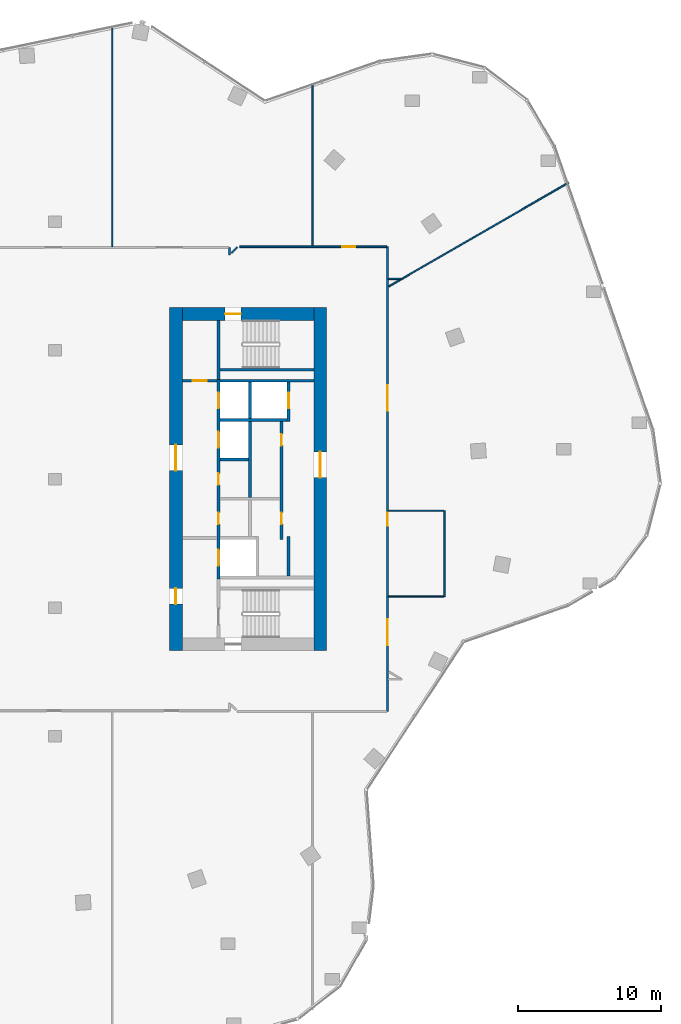
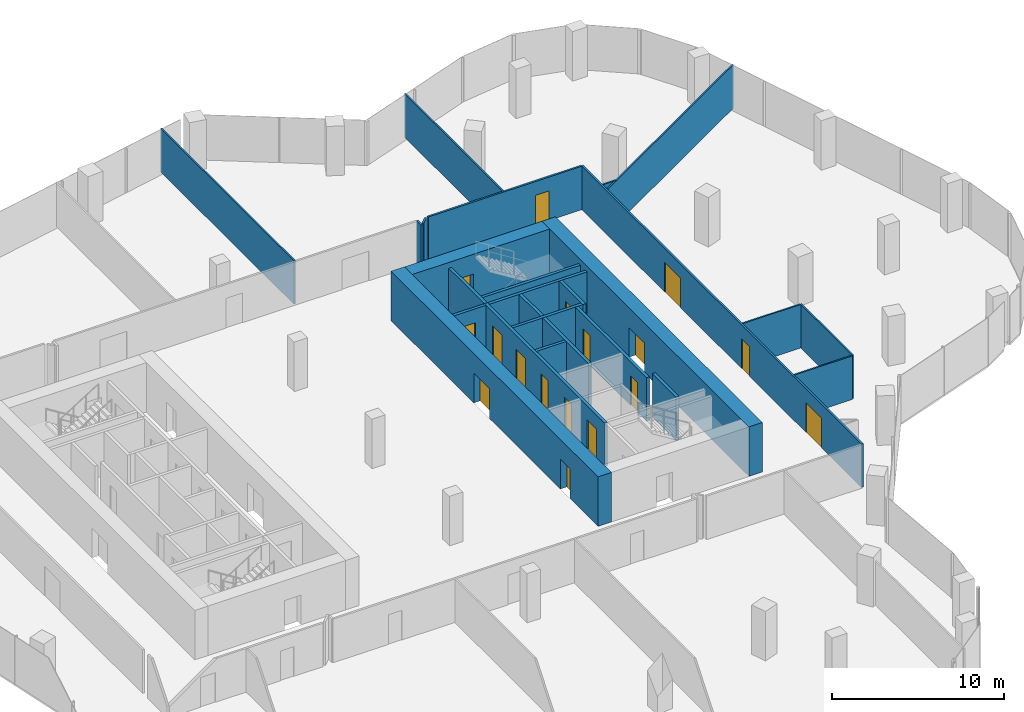
# One storey, part 20 of 24: 26 walls, 17 doors, 17 openings.
"""IFC4 building model written with IfcOpenShell, lengths in metres."""

from ifc_helpers import new_model, si_unit, direction, frame, frame_2d, origin, place, context, subcontext, project, spatial, rectangle, extrude, material, layer, layer_set, type_object, element, fill, save


model = new_model("IFC4")

# Units and contexts
model_context = context("Model", 3, precision=1e-05, world=origin(), true_north=direction((0.0, 1.0)))
body_context = subcontext(model_context, "Body", "Model", "MODEL_VIEW")
ifc_project = project(units=[si_unit("LENGTHUNIT", "METRE"), si_unit("AREAUNIT", "SQUARE_METRE"), si_unit("VOLUMEUNIT", "CUBIC_METRE"), si_unit("PLANEANGLEUNIT", "RADIAN"), si_unit("MASSUNIT", "GRAM", prefix="KILO")], contexts=[model_context])

# Site, building, storey
site_placement = place(None, origin())
site = spatial("IfcSite", under=ifc_project, at=site_placement, CompositionType="ELEMENT")
building_placement = place(site_placement, origin())
building = spatial("IfcBuilding", under=site, at=building_placement, Name="Orlundy Tower", CompositionType="ELEMENT")
storey_placement = place(building_placement, frame((0.0, 0.0, 239.0)))
storey = spatial("IfcBuildingStorey", under=building, at=storey_placement, Name="L63", CompositionType="ELEMENT", Elevation=239.0)

# Wall, opening, door
ifc_material_1 = material(Name="Concrete C60/75", Category="concrete")
ifc_layer_1 = layer(ifc_material_1, 0.89990234375)
ifc_layer_set_1 = layer_set([ifc_layer_1], Name="CORE WALL 900 C60/75")
wall_type_1 = type_object("IfcWallType", Name="CORE WALL 900 C60/75", PredefinedType="SHEAR", material=ifc_layer_set_1)
wall_1_placement = place(storey_placement, frame((8.89990234375, 11.550048828125, 0.0), z_axis=(0.0, 0.0, 1.0), x_axis=(1.0, 0.0, 0.0)))
wall_1 = element("IfcWall", 1, at=wall_1_placement, inside=storey, type_object=wall_type_1, Name="Core wall E-N L63", PredefinedType="SHEAR", context=body_context, shape_type="SweptSolid", body=[
    extrude(rectangle(XDim=9.2001953125, YDim=0.89990234375, at=frame_2d((4.60009765625, 0.0))), origin(), (0.0, 0.0, 1.0), 3.5),
])
opening_1_placement = place(wall_1_placement, frame((3.0, 0.0, 0.0)))
opening_1 = element("IfcOpeningElement", 2, at=opening_1_placement, cuts=wall_1, Name="Opening 48062", PredefinedType="OPENING", context=body_context, shape_type="SweptSolid", body=[
    extrude(rectangle(XDim=1.10009765625, YDim=2.10009765625, at=frame_2d((0.550048828125, 1.050048828125))), frame((0.0, 0.4599609375, 0.0), z_axis=(0.0, -1.0, 0.0), x_axis=(1.0, 0.0, 0.0)), (0.0, 0.0, 1.0), 0.919921875),
])
ifc_material_2 = material(Name="Steel door set", Category="steel")
door_type_1 = type_object("IfcDoorType", Name="Stair Door 1100x2100", OperationType="SINGLE_SWING_LEFT", PredefinedType="DOOR", material=ifc_material_2)
door_1_placement = place(opening_1_placement, origin())
door_1 = element("IfcDoor", 3, at=door_1_placement, inside=storey, type_object=door_type_1, Name="Stair door 48062", OperationType="SINGLE_SWING_LEFT", OverallHeight=2.10009765625, OverallWidth=1.10009765625, PredefinedType="DOOR", context=body_context, shape_type="SweptSolid", body=[
    extrude(rectangle(XDim=1.10009765625, YDim=2.10009765625, at=frame_2d((0.550048828125, 1.050048828125))), frame((0.0, 0.02490234375, 0.0), z_axis=(0.0, -1.0, 0.0), x_axis=(1.0, 0.0, 0.0)), (0.0, 0.0, 1.0), 0.050048828125),
])
fill(opening_1, door_1)

# Wall, openings, doors
wall_2_placement = place(storey_placement, frame((8.449951171875, -12.0, 0.0), z_axis=(0.0, 0.0, 1.0), x_axis=(0.0, 1.0, 0.0)))
wall_2 = element("IfcWall", 4, at=wall_2_placement, inside=storey, type_object=wall_type_1, Name="Core wall E-W L63", PredefinedType="SHEAR", context=body_context, shape_type="SweptSolid", body=[
    extrude(rectangle(XDim=24.0, YDim=0.89990234375, at=frame_2d((12.0, 0.0))), origin(), (0.0, 0.0, 1.0), 3.5),
])
opening_2_placement = place(wall_2_placement, frame((12.60009765625, 0.0, 0.0)))
opening_2 = element("IfcOpeningElement", 5, at=opening_2_placement, cuts=wall_2, Name="Opening 48058", PredefinedType="OPENING", context=body_context, shape_type="SweptSolid", body=[
    extrude(rectangle(XDim=1.800048828125, YDim=2.10009765625, at=frame_2d((0.89990234375, 1.050048828125))), frame((0.0, 0.4599609375, 0.0), z_axis=(0.0, -1.0, 0.0), x_axis=(1.0, 0.0, 0.0)), (0.0, 0.0, 1.0), 0.919921875),
])
opening_3_placement = place(wall_2_placement, frame((3.25, 0.0, 0.0)))
opening_3 = element("IfcOpeningElement", 6, at=opening_3_placement, cuts=wall_2, Name="Opening 48060", PredefinedType="OPENING", context=body_context, shape_type="SweptSolid", body=[
    extrude(rectangle(XDim=1.10009765625, YDim=2.10009765625, at=frame_2d((0.550048828125, 1.050048828125))), frame((0.0, 0.4599609375, 0.0), z_axis=(0.0, -1.0, 0.0), x_axis=(1.0, 0.0, 0.0)), (0.0, 0.0, 1.0), 0.919921875),
])
ifc_material_3 = material(Name="Steel door set", Category="steel")
door_type_2 = type_object("IfcDoorType", Name="Fire-fighting Lobby Door 1100x2100", OperationType="SINGLE_SWING_LEFT", PredefinedType="DOOR", material=ifc_material_3)
door_2_placement = place(opening_3_placement, origin())
door_2 = element("IfcDoor", 7, at=door_2_placement, inside=storey, type_object=door_type_2, Name="Fire-fighting lobby door 48060", OperationType="SINGLE_SWING_LEFT", OverallHeight=2.10009765625, OverallWidth=1.10009765625, PredefinedType="DOOR", context=body_context, shape_type="SweptSolid", body=[
    extrude(rectangle(XDim=1.10009765625, YDim=2.10009765625, at=frame_2d((0.550048828125, 1.050048828125))), frame((0.0, 0.02490234375, 0.0), z_axis=(0.0, -1.0, 0.0), x_axis=(1.0, 0.0, 0.0)), (0.0, 0.0, 1.0), 0.050048828125),
])
fill(opening_3, door_2)
ifc_material_4 = material(Name="Timber door set", Category="wood")
door_type_3 = type_object("IfcDoorType", Name="Lobby Door 1800x2100", OperationType="DOUBLE_DOOR_DOUBLE_SWING", PredefinedType="DOOR", material=ifc_material_4)
door_3_placement = place(opening_2_placement, origin())
door_3 = element("IfcDoor", 8, at=door_3_placement, inside=storey, type_object=door_type_3, Name="Lift lobby door 48058", OperationType="SINGLE_SWING_RIGHT", OverallHeight=2.10009765625, OverallWidth=1.800048828125, PredefinedType="DOOR", context=body_context, shape_type="SweptSolid", body=[
    extrude(rectangle(XDim=1.800048828125, YDim=2.10009765625, at=frame_2d((0.89990234375, 1.050048828125))), frame((0.0, 0.02490234375, 0.0), z_axis=(0.0, -1.0, 0.0), x_axis=(1.0, 0.0, 0.0)), (0.0, 0.0, 1.0), 0.050048828125),
])
fill(opening_2, door_3)

# Wall, opening, door
wall_3_placement = place(storey_placement, frame((18.550048828125, -12.0, 0.0), z_axis=(0.0, 0.0, 1.0), x_axis=(0.0, 1.0, 0.0)))
wall_3 = element("IfcWall", 9, at=wall_3_placement, inside=storey, type_object=wall_type_1, Name="Core wall E-E L63", PredefinedType="SHEAR", context=body_context, shape_type="SweptSolid", body=[
    extrude(rectangle(XDim=24.0, YDim=0.89990234375, at=frame_2d((12.0, 0.0))), origin(), (0.0, 0.0, 1.0), 3.5),
])
opening_4_placement = place(wall_3_placement, frame((12.10009765625, 0.0, 0.0)))
opening_4 = element("IfcOpeningElement", 10, at=opening_4_placement, cuts=wall_3, Name="Opening 48059", PredefinedType="OPENING", context=body_context, shape_type="SweptSolid", body=[
    extrude(rectangle(XDim=1.800048828125, YDim=2.10009765625, at=frame_2d((0.89990234375, 1.050048828125))), frame((0.0, 0.4599609375, 0.0), z_axis=(0.0, -1.0, 0.0), x_axis=(1.0, 0.0, 0.0)), (0.0, 0.0, 1.0), 0.919921875),
])
door_4_placement = place(opening_4_placement, origin())
door_4 = element("IfcDoor", 11, at=door_4_placement, inside=storey, type_object=door_type_3, Name="Lift lobby door 48059", OperationType="SINGLE_SWING_RIGHT", OverallHeight=2.10009765625, OverallWidth=1.800048828125, PredefinedType="DOOR", context=body_context, shape_type="SweptSolid", body=[
    extrude(rectangle(XDim=1.800048828125, YDim=2.10009765625, at=frame_2d((0.89990234375, 1.050048828125))), frame((0.0, 0.02490234375, 0.0), z_axis=(0.0, -1.0, 0.0), x_axis=(1.0, 0.0, 0.0)), (0.0, 0.0, 1.0), 0.050048828125),
])
fill(opening_4, door_4)

# Walls
ifc_material_5 = material(Name="Gypsum board partition")
ifc_layer_2 = layer(ifc_material_5, 0.10009765625)
ifc_layer_set_2 = layer_set([ifc_layer_2], Name="Floor partition 100")
wall_type_2 = type_object("IfcWallType", Name="Floor partition 100", PredefinedType="PARTITIONING", material=ifc_layer_set_2)
for number, where, z_axis, x_axis, name in (
    (12, (23.31396484375, -8.212890625, 0.0), (0.0, 0.0, 1.0), (1.0, 0.0, 0.0), "wall-int-L63-010"),
    (13, (23.31396484375, -2.2119140625, 0.0), (0.0, 0.0, 1.0), (1.0, 0.0, 0.0), "wall-int-L63-011"),
):
    element("IfcWall", number, at=place(storey_placement, frame(where, z_axis=z_axis, x_axis=x_axis)), inside=storey, type_object=wall_type_2, Name=name, PredefinedType="PARTITIONING", context=body_context, shape_type="SweptSolid", body=[
        extrude(rectangle(XDim=3.885009765625, YDim=0.10009765625, at=frame_2d((1.9423828125, 0.0))), origin(), (0.0, 0.0, 1.0), 3.080078125),
    ])
wall_4_placement = place(storey_placement, frame((23.31396484375, 14.0, 0.0), z_axis=(0.0, 0.0, 1.0), x_axis=(1.0, 0.0, 0.0)))
element("IfcWall", 14, at=wall_4_placement, inside=storey, type_object=wall_type_2, Name="wall-int-L63-015", PredefinedType="PARTITIONING", context=body_context, shape_type="SweptSolid", body=[
    extrude(rectangle(XDim=0.885009765625, YDim=0.10009765625, at=frame_2d((0.4423828125, 0.0))), origin(), (0.0, 0.0, 1.0), 3.080078125),
])
wall_5_placement = place(storey_placement, frame((23.337890625, 13.47412109375, 0.0), z_axis=(0.0, 0.0, 1.0), x_axis=(0.866095287821, 0.499878937759, 0.0)))
element("IfcWall", 15, at=wall_5_placement, inside=storey, type_object=wall_type_2, Name="wall-int-L63-019", PredefinedType="PARTITIONING", context=body_context, shape_type="SweptSolid", body=[
    extrude(rectangle(XDim=14.541015625, YDim=0.10009765625, at=frame_2d((7.2705078125, 0.0))), origin(), (0.0, 0.0, 1.0), 3.080078125),
])
wall_6_placement = place(storey_placement, frame((27.2490234375, -8.212890625, 0.0), z_axis=(0.0, 0.0, 1.0), x_axis=(0.0, 1.0, 0.0)))
element("IfcWall", 16, at=wall_6_placement, inside=storey, type_object=wall_type_2, Name="wall-int-L63-023", PredefinedType="PARTITIONING", context=body_context, shape_type="SweptSolid", body=[
    extrude(rectangle(XDim=6.0009765625, YDim=0.10009765625, at=frame_2d((3.00048828125, 0.0))), origin(), (0.0, 0.0, 1.0), 3.080078125),
])
wall_7_placement = place(storey_placement, frame((18.0, 16.31201171875, 0.0), z_axis=(0.0, 0.0, 1.0), x_axis=(0.0, 1.0, 0.0)))
element("IfcWall", 17, at=wall_7_placement, inside=storey, type_object=wall_type_2, Name="wall-int-L63-026", PredefinedType="PARTITIONING", context=body_context, shape_type="SweptSolid", body=[
    extrude(rectangle(XDim=11.383056640625, YDim=0.10009765625, at=frame_2d((5.69140625, 0.0))), origin(), (0.0, 0.0, 1.0), 3.080078125),
])
wall_8_placement = place(storey_placement, frame((4.0, 16.261962890625, 0.0), z_axis=(0.0, 0.0, 1.0), x_axis=(0.0, 1.0, 0.0)))
element("IfcWall", 18, at=wall_8_placement, inside=storey, type_object=wall_type_2, Name="wall-int-L63-030", PredefinedType="PARTITIONING", context=body_context, shape_type="SweptSolid", body=[
    extrude(rectangle(XDim=15.4521484375, YDim=0.10009765625, at=frame_2d((7.72607421875, 0.0))), origin(), (0.0, 0.0, 1.0), 3.080078125),
])

# Wall, opening, door
ifc_material_6 = material(Name="Gypsum board partition, double layer")
ifc_layer_3 = layer(ifc_material_6, 0.125)
ifc_layer_set_3 = layer_set([ifc_layer_3], Name="Floor partition 125")
wall_type_3 = type_object("IfcWallType", Name="Floor partition 125", PredefinedType="PARTITIONING", material=ifc_layer_set_3)
wall_9_placement = place(storey_placement, frame((12.909912109375, 16.25, 0.0), z_axis=(0.0, 0.0, 1.0), x_axis=(1.0, 0.0, 0.0)))
wall_9 = element("IfcWall", 19, at=wall_9_placement, inside=storey, type_object=wall_type_3, Name="wall-int-L63-018", PredefinedType="PARTITIONING", context=body_context, shape_type="SweptSolid", body=[
    extrude(rectangle(XDim=10.279052734375, YDim=0.125, at=frame_2d((5.1396484375, 0.0))), origin(), (0.0, 0.0, 1.0), 3.080078125),
])
opening_5_placement = place(wall_9_placement, frame((7.190185546875, 0.0, 0.0)))
opening_5 = element("IfcOpeningElement", 20, at=opening_5_placement, cuts=wall_9, Name="Opening 48107", PredefinedType="OPENING", context=body_context, shape_type="SweptSolid", body=[
    extrude(rectangle(XDim=0.89990234375, YDim=2.10009765625, at=frame_2d((0.449951171875, 1.050048828125))), frame((0.0, 0.072509765625, 0.0), z_axis=(0.0, -1.0, 0.0), x_axis=(1.0, 0.0, 0.0)), (0.0, 0.0, 1.0), 0.14501953125),
])
ifc_material_7 = material(Name="Timber door leaf", Category="wood")
door_type_4 = type_object("IfcDoorType", Name="Floor door single 900 FD30S", OperationType="NOTDEFINED", PredefinedType="DOOR", material=ifc_material_7)
door_5_placement = place(opening_5_placement, origin())
door_5 = element("IfcDoor", 21, at=door_5_placement, inside=storey, type_object=door_type_4, Name="Door 48107", OperationType="SINGLE_SWING_RIGHT", OverallHeight=2.10009765625, OverallWidth=0.89990234375, PredefinedType="DOOR", context=body_context, shape_type="SweptSolid", body=[
    extrude(rectangle(XDim=0.89990234375, YDim=2.10009765625, at=frame_2d((0.449951171875, 1.050048828125))), frame((0.0, 0.02490234375, 0.0), z_axis=(0.0, -1.0, 0.0), x_axis=(1.0, 0.0, 0.0)), (0.0, 0.0, 1.0), 0.050048828125),
])
fill(opening_5, door_5)

# Wall
wall_10_placement = place(storey_placement, frame((12.3291015625, 15.806884765625, 0.0), z_axis=(0.0, 0.0, 1.0), x_axis=(0.706903150737, 0.707310353012, 0.0)))
element("IfcWall", 22, at=wall_10_placement, inside=storey, type_object=wall_type_3, Name="wall-int-L63-021", PredefinedType="PARTITIONING", context=body_context, shape_type="SweptSolid", body=[
    extrude(rectangle(XDim=0.599609375, YDim=0.125, at=frame_2d((0.2998046875, 0.0))), origin(), (0.0, 0.0, 1.0), 3.080078125),
])

# Wall, openings, doors
wall_11_placement = place(storey_placement, frame((23.2509765625, 16.25, 0.0), z_axis=(0.0, 0.0, 1.0), x_axis=(0.0, -1.0, 0.0)))
wall_11 = element("IfcWall", 23, at=wall_11_placement, inside=storey, type_object=wall_type_3, Name="wall-int-L63-024", PredefinedType="PARTITIONING", context=body_context, shape_type="SweptSolid", body=[
    extrude(rectangle(XDim=32.5, YDim=0.125, at=frame_2d((16.25, 0.0))), origin(), (0.0, 0.0, 1.0), 3.080078125),
])
opening_6_placement = place(wall_11_placement, frame((26.06298828125, 0.0, 0.0)))
opening_6 = element("IfcOpeningElement", 24, at=opening_6_placement, cuts=wall_11, Name="Opening 48105", PredefinedType="OPENING", context=body_context, shape_type="SweptSolid", body=[
    extrude(rectangle(XDim=1.800048828125, YDim=2.10009765625, at=frame_2d((0.89990234375, 1.050048828125))), frame((0.0, 0.072509765625, 0.0), z_axis=(0.0, -1.0, 0.0), x_axis=(1.0, 0.0, 0.0)), (0.0, 0.0, 1.0), 0.14501953125),
])
opening_7_placement = place(wall_11_placement, frame((9.676025390625, 0.0, 0.0)))
opening_7 = element("IfcOpeningElement", 25, at=opening_7_placement, cuts=wall_11, Name="Opening 48106", PredefinedType="OPENING", context=body_context, shape_type="SweptSolid", body=[
    extrude(rectangle(XDim=1.800048828125, YDim=2.10009765625, at=frame_2d((0.89990234375, 1.050048828125))), frame((0.0, 0.072509765625, 0.0), z_axis=(0.0, -1.0, 0.0), x_axis=(1.0, 0.0, 0.0)), (0.0, 0.0, 1.0), 0.14501953125),
])
opening_8_placement = place(wall_11_placement, frame((18.60009765625, 0.0, 0.0)))
opening_8 = element("IfcOpeningElement", 26, at=opening_8_placement, cuts=wall_11, Name="Opening 48113", PredefinedType="OPENING", context=body_context, shape_type="SweptSolid", body=[
    extrude(rectangle(XDim=0.89990234375, YDim=2.10009765625, at=frame_2d((0.449951171875, 1.050048828125))), frame((0.0, 0.072509765625, 0.0), z_axis=(0.0, -1.0, 0.0), x_axis=(1.0, 0.0, 0.0)), (0.0, 0.0, 1.0), 0.14501953125),
])
ifc_material_8 = material(Name="Timber door leaf", Category="wood")
door_type_5 = type_object("IfcDoorType", Name="Floor door double 1800 FD30S", OperationType="NOTDEFINED", PredefinedType="DOOR", material=ifc_material_8)
door_6_placement = place(opening_6_placement, origin())
door_6 = element("IfcDoor", 27, at=door_6_placement, inside=storey, type_object=door_type_5, Name="Door 48105", OperationType="DOUBLE_DOOR_SINGLE_SWING", OverallHeight=2.10009765625, OverallWidth=1.800048828125, PredefinedType="DOOR", context=body_context, shape_type="SweptSolid", body=[
    extrude(rectangle(XDim=1.800048828125, YDim=2.10009765625, at=frame_2d((0.89990234375, 1.050048828125))), frame((0.0, 0.02490234375, 0.0), z_axis=(0.0, -1.0, 0.0), x_axis=(1.0, 0.0, 0.0)), (0.0, 0.0, 1.0), 0.050048828125),
])
fill(opening_6, door_6)
door_7_placement = place(opening_7_placement, origin())
door_7 = element("IfcDoor", 28, at=door_7_placement, inside=storey, type_object=door_type_5, Name="Door 48106", OperationType="DOUBLE_DOOR_SINGLE_SWING", OverallHeight=2.10009765625, OverallWidth=1.800048828125, PredefinedType="DOOR", context=body_context, shape_type="SweptSolid", body=[
    extrude(rectangle(XDim=1.800048828125, YDim=2.10009765625, at=frame_2d((0.89990234375, 1.050048828125))), frame((0.0, 0.02490234375, 0.0), z_axis=(0.0, -1.0, 0.0), x_axis=(1.0, 0.0, 0.0)), (0.0, 0.0, 1.0), 0.050048828125),
])
fill(opening_7, door_7)
door_8_placement = place(opening_8_placement, origin())
door_8 = element("IfcDoor", 29, at=door_8_placement, inside=storey, type_object=door_type_4, Name="Door 48113", OperationType="SINGLE_SWING_RIGHT", OverallHeight=2.10009765625, OverallWidth=0.89990234375, PredefinedType="DOOR", context=body_context, shape_type="SweptSolid", body=[
    extrude(rectangle(XDim=0.89990234375, YDim=2.10009765625, at=frame_2d((0.449951171875, 1.050048828125))), frame((0.0, 0.02490234375, 0.0), z_axis=(0.0, -1.0, 0.0), x_axis=(1.0, 0.0, 0.0)), (0.0, 0.0, 1.0), 0.050048828125),
])
fill(opening_8, door_8)

# Walls
wall_12_placement = place(storey_placement, frame((12.200927734375, 15.69189453125, 0.0), z_axis=(0.0, 0.0, 1.0), x_axis=(0.0, 1.0, 0.0)))
element("IfcWall", 30, at=wall_12_placement, inside=storey, type_object=wall_type_3, Name="wall-int-L63-028", PredefinedType="PARTITIONING", context=body_context, shape_type="SweptSolid", body=[
    extrude(rectangle(XDim=0.508056640625, YDim=0.125, at=frame_2d((0.25390625, 0.0))), origin(), (0.0, 0.0, 1.0), 3.080078125),
])
ifc_material_9 = material(Name="Concrete C40/50", Category="concrete")
ifc_layer_4 = layer(ifc_material_9, 0.199951171875)
ifc_layer_set_4 = layer_set([ifc_layer_4], Name="Load-bearing Shaft Wall 200")
wall_type_4 = type_object("IfcWallType", Name="Load-bearing Shaft Wall 200", PredefinedType="SOLIDWALL", material=ifc_layer_set_4)
wall_13_placement = place(storey_placement, frame((11.43994140625, 11.10009765625, 0.0), z_axis=(0.0, 0.0, 1.0), x_axis=(0.0, -1.0, 0.0)))
element("IfcWall", 31, at=wall_13_placement, inside=storey, type_object=wall_type_4, Name="Shaft wall E48-stair-end-s", PredefinedType="SOLIDWALL", context=body_context, shape_type="SweptSolid", body=[
    extrude(rectangle(XDim=4.125, YDim=0.199951171875, at=frame_2d((2.0625, 0.0))), origin(), (0.0, 0.0, 1.0), 3.090087890625),
])
wall_14_placement = place(storey_placement, frame((11.5400390625, 7.64990234375, 0.0), z_axis=(0.0, 0.0, 1.0), x_axis=(1.0, 0.0, 0.0)))
element("IfcWall", 32, at=wall_14_placement, inside=storey, type_object=wall_type_4, Name="Shaft wall E48-stair-side-s", PredefinedType="SOLIDWALL", context=body_context, shape_type="SweptSolid", body=[
    extrude(rectangle(XDim=6.56005859375, YDim=0.199951171875, at=frame_2d((3.280029296875, 0.0))), origin(), (0.0, 0.0, 1.0), 3.090087890625),
])

# Wall, opening, door
ifc_material_10 = material(Name="Gypsum board partition on steel studs", Category="steel")
ifc_layer_5 = layer(ifc_material_10, 0.199951171875)
ifc_layer_set_5 = layer_set([ifc_layer_5], Name="Partition 200")
wall_type_5 = type_object("IfcWallType", Name="Partition 200", PredefinedType="PARTITIONING", material=ifc_layer_set_5)
wall_15_placement = place(storey_placement, frame((8.89990234375, 6.875, 0.0), z_axis=(0.0, 0.0, 1.0), x_axis=(1.0, 0.0, 0.0)))
wall_15 = element("IfcWall", 33, at=wall_15_placement, inside=storey, type_object=wall_type_5, Name="Partition wall E48-end-s", PredefinedType="PARTITIONING", context=body_context, shape_type="SweptSolid", body=[
    extrude(rectangle(XDim=2.440185546875, YDim=0.199951171875, at=frame_2d((1.22021484375, 0.0))), origin(), (0.0, 0.0, 1.0), 3.090087890625),
])
opening_9_placement = place(wall_15_placement, frame((0.719970703125, 0.0, 0.0)))
opening_9 = element("IfcOpeningElement", 34, at=opening_9_placement, cuts=wall_15, Name="Opening 48064", PredefinedType="OPENING", context=body_context, shape_type="SweptSolid", body=[
    extrude(rectangle(XDim=1.0, YDim=2.10009765625, at=frame_2d((0.5, 1.050048828125))), frame((0.0, 0.110107421875, 0.0), z_axis=(0.0, -1.0, 0.0), x_axis=(1.0, 0.0, 0.0)), (0.0, 0.0, 1.0), 0.22021484375),
])
ifc_material_11 = material(Name="Timber door set", Category="wood")
door_type_6 = type_object("IfcDoorType", Name="Accessible Door 1000x2100", OperationType="SINGLE_SWING_LEFT", PredefinedType="DOOR", material=ifc_material_11)
door_9_placement = place(opening_9_placement, origin())
door_9 = element("IfcDoor", 35, at=door_9_placement, inside=storey, type_object=door_type_6, Name="Accessible WC door 48064", OperationType="SINGLE_SWING_RIGHT", OverallHeight=2.10009765625, OverallWidth=1.0, PredefinedType="DOOR", context=body_context, shape_type="SweptSolid", body=[
    extrude(rectangle(XDim=1.0, YDim=2.10009765625, at=frame_2d((0.5, 1.050048828125))), frame((0.0, 0.02490234375, 0.0), z_axis=(0.0, -1.0, 0.0), x_axis=(1.0, 0.0, 0.0)), (0.0, 0.0, 1.0), 0.050048828125),
])
fill(opening_9, door_9)

# Walls
ifc_material_12 = material(Name="Fire-rated blockwork shaft wall", Category="masonry")
ifc_layer_6 = layer(ifc_material_12, 0.199951171875)
ifc_layer_set_6 = layer_set([ifc_layer_6], Name="Shaft Wall 200")
wall_type_6 = type_object("IfcWallType", Name="Shaft Wall 200", PredefinedType="SOLIDWALL", material=ifc_layer_set_6)
wall_16_placement = place(storey_placement, frame((11.5400390625, 6.875, 0.0), z_axis=(0.0, 0.0, 1.0), x_axis=(1.0, 0.0, 0.0)))
element("IfcWall", 36, at=wall_16_placement, inside=storey, type_object=wall_type_6, Name="Shaft wall E48-zone-s", PredefinedType="SOLIDWALL", context=body_context, shape_type="SweptSolid", body=[
    extrude(rectangle(XDim=6.56005859375, YDim=0.199951171875, at=frame_2d((3.280029296875, 0.0))), origin(), (0.0, 0.0, 1.0), 3.090087890625),
])
wall_17_placement = place(storey_placement, frame((11.5400390625, 4.125, 0.0), z_axis=(0.0, 0.0, 1.0), x_axis=(1.0, 0.0, 0.0)))
element("IfcWall", 37, at=wall_17_placement, inside=storey, type_object=wall_type_6, Name="Shaft wall E48-cross-4.125", PredefinedType="SOLIDWALL", context=body_context, shape_type="SweptSolid", body=[
    extrude(rectangle(XDim=4.699951171875, YDim=0.199951171875, at=frame_2d((2.35009765625, 0.0))), origin(), (0.0, 0.0, 1.0), 3.090087890625),
])
wall_18_placement = place(storey_placement, frame((11.5400390625, 1.375, 0.0), z_axis=(0.0, 0.0, 1.0), x_axis=(1.0, 0.0, 0.0)))
element("IfcWall", 38, at=wall_18_placement, inside=storey, type_object=wall_type_6, Name="Shaft wall E48-cross-1.375", PredefinedType="SOLIDWALL", context=body_context, shape_type="SweptSolid", body=[
    extrude(rectangle(XDim=2.0, YDim=0.199951171875, at=frame_2d((1.0, 0.0))), origin(), (0.0, 0.0, 1.0), 3.090087890625),
])

# Wall, openings, doors
wall_19_placement = place(storey_placement, frame((11.43994140625, 6.97509765625, 0.0), z_axis=(0.0, 0.0, 1.0), x_axis=(0.0, -1.0, 0.0)))
wall_19 = element("IfcWall", 39, at=wall_19_placement, inside=storey, type_object=wall_type_6, Name="Shaft wall E48-front-h", PredefinedType="SOLIDWALL", context=body_context, shape_type="SweptSolid", body=[
    extrude(rectangle(XDim=13.9501953125, YDim=0.199951171875, at=frame_2d((6.97509765625, 0.0))), origin(), (0.0, 0.0, 1.0), 3.090087890625),
])
opening_10_placement = place(wall_19_placement, frame((0.925048828125, 0.0, 0.0)))
opening_10 = element("IfcOpeningElement", 40, at=opening_10_placement, cuts=wall_19, Name="Opening 48050", PredefinedType="OPENING", context=body_context, shape_type="SweptSolid", body=[
    extrude(rectangle(XDim=1.10009765625, YDim=2.10009765625, at=frame_2d((0.550048828125, 1.050048828125))), frame((0.0, 0.110107421875, 0.0), z_axis=(0.0, -1.0, 0.0), x_axis=(1.0, 0.0, 0.0)), (0.0, 0.0, 1.0), 0.22021484375),
])
opening_11_placement = place(wall_19_placement, frame((3.675048828125, 0.0, 0.0)))
opening_11 = element("IfcOpeningElement", 41, at=opening_11_placement, cuts=wall_19, Name="Opening 48052", PredefinedType="OPENING", context=body_context, shape_type="SweptSolid", body=[
    extrude(rectangle(XDim=1.10009765625, YDim=2.10009765625, at=frame_2d((0.550048828125, 1.050048828125))), frame((0.0, 0.110107421875, 0.0), z_axis=(0.0, -1.0, 0.0), x_axis=(1.0, 0.0, 0.0)), (0.0, 0.0, 1.0), 0.22021484375),
])
opening_12_placement = place(wall_19_placement, frame((11.925048828125, 0.0, 0.0)))
opening_12 = element("IfcOpeningElement", 42, at=opening_12_placement, cuts=wall_19, Name="Opening 48053", PredefinedType="OPENING", context=body_context, shape_type="SweptSolid", body=[
    extrude(rectangle(XDim=1.10009765625, YDim=2.10009765625, at=frame_2d((0.550048828125, 1.050048828125))), frame((0.0, 0.110107421875, 0.0), z_axis=(0.0, -1.0, 0.0), x_axis=(1.0, 0.0, 0.0)), (0.0, 0.0, 1.0), 0.22021484375),
])
opening_13_placement = place(wall_19_placement, frame((6.574951171875, 0.0, 0.0)))
opening_13 = element("IfcOpeningElement", 43, at=opening_13_placement, cuts=wall_19, Name="Opening 48055", PredefinedType="OPENING", context=body_context, shape_type="SweptSolid", body=[
    extrude(rectangle(XDim=0.800048828125, YDim=2.10009765625, at=frame_2d((0.39990234375, 1.050048828125))), frame((0.0, 0.110107421875, 0.0), z_axis=(0.0, -1.0, 0.0), x_axis=(1.0, 0.0, 0.0)), (0.0, 0.0, 1.0), 0.22021484375),
])
opening_14_placement = place(wall_19_placement, frame((9.324951171875, 0.0, 0.0)))
opening_14 = element("IfcOpeningElement", 44, at=opening_14_placement, cuts=wall_19, Name="Opening 48056", PredefinedType="OPENING", context=body_context, shape_type="SweptSolid", body=[
    extrude(rectangle(XDim=0.800048828125, YDim=2.10009765625, at=frame_2d((0.39990234375, 1.050048828125))), frame((0.0, 0.110107421875, 0.0), z_axis=(0.0, -1.0, 0.0), x_axis=(1.0, 0.0, 0.0)), (0.0, 0.0, 1.0), 0.22021484375),
])
ifc_material_13 = material(Name="Steel door set", Category="steel")
door_type_7 = type_object("IfcDoorType", Name="Landing Door 1100x2100", OperationType="DOUBLE_DOOR_SLIDING", PredefinedType="DOOR", material=ifc_material_13)
door_10_placement = place(opening_10_placement, origin())
door_10 = element("IfcDoor", 45, at=door_10_placement, inside=storey, type_object=door_type_7, Name="Lift landing door LP-24 48050", OperationType="DOUBLE_DOOR_SLIDING", OverallHeight=2.10009765625, OverallWidth=1.10009765625, PredefinedType="DOOR", context=body_context, shape_type="SweptSolid", body=[
    extrude(rectangle(XDim=1.10009765625, YDim=2.10009765625, at=frame_2d((0.550048828125, 1.050048828125))), frame((0.0, 0.02490234375, 0.0), z_axis=(0.0, -1.0, 0.0), x_axis=(1.0, 0.0, 0.0)), (0.0, 0.0, 1.0), 0.050048828125),
])
fill(opening_10, door_10)
door_11_placement = place(opening_11_placement, origin())
door_11 = element("IfcDoor", 46, at=door_11_placement, inside=storey, type_object=door_type_7, Name="Lift landing door LP-23 48052", OperationType="DOUBLE_DOOR_SLIDING", OverallHeight=2.10009765625, OverallWidth=1.10009765625, PredefinedType="DOOR", context=body_context, shape_type="SweptSolid", body=[
    extrude(rectangle(XDim=1.10009765625, YDim=2.10009765625, at=frame_2d((0.550048828125, 1.050048828125))), frame((0.0, 0.02490234375, 0.0), z_axis=(0.0, -1.0, 0.0), x_axis=(1.0, 0.0, 0.0)), (0.0, 0.0, 1.0), 0.050048828125),
])
fill(opening_11, door_11)
door_12_placement = place(opening_12_placement, origin())
door_12 = element("IfcDoor", 47, at=door_12_placement, inside=storey, type_object=door_type_7, Name="Lift landing door FL2 48053", OperationType="DOUBLE_DOOR_SLIDING", OverallHeight=2.10009765625, OverallWidth=1.10009765625, PredefinedType="DOOR", context=body_context, shape_type="SweptSolid", body=[
    extrude(rectangle(XDim=1.10009765625, YDim=2.10009765625, at=frame_2d((0.550048828125, 1.050048828125))), frame((0.0, 0.02490234375, 0.0), z_axis=(0.0, -1.0, 0.0), x_axis=(1.0, 0.0, 0.0)), (0.0, 0.0, 1.0), 0.050048828125),
])
fill(opening_12, door_12)
ifc_material_14 = material(Name="Timber door set", Category="wood")
door_type_8 = type_object("IfcDoorType", Name="Riser Door 800x2100", OperationType="SINGLE_SWING_LEFT", PredefinedType="DOOR", material=ifc_material_14)
door_13_placement = place(opening_13_placement, origin())
door_13 = element("IfcDoor", 48, at=door_13_placement, inside=storey, type_object=door_type_8, Name="Security Store door 48055", OperationType="SINGLE_SWING_LEFT", OverallHeight=2.10009765625, OverallWidth=0.800048828125, PredefinedType="DOOR", context=body_context, shape_type="SweptSolid", body=[
    extrude(rectangle(XDim=0.800048828125, YDim=2.10009765625, at=frame_2d((0.39990234375, 1.050048828125))), frame((0.0, 0.02490234375, 0.0), z_axis=(0.0, -1.0, 0.0), x_axis=(1.0, 0.0, 0.0)), (0.0, 0.0, 1.0), 0.050048828125),
])
fill(opening_13, door_13)
door_14_placement = place(opening_14_placement, origin())
door_14 = element("IfcDoor", 49, at=door_14_placement, inside=storey, type_object=door_type_8, Name="Furniture Store door 48056", OperationType="SINGLE_SWING_LEFT", OverallHeight=2.10009765625, OverallWidth=0.800048828125, PredefinedType="DOOR", context=body_context, shape_type="SweptSolid", body=[
    extrude(rectangle(XDim=0.800048828125, YDim=2.10009765625, at=frame_2d((0.39990234375, 1.050048828125))), frame((0.0, 0.02490234375, 0.0), z_axis=(0.0, -1.0, 0.0), x_axis=(1.0, 0.0, 0.0)), (0.0, 0.0, 1.0), 0.050048828125),
])
fill(opening_14, door_14)

# Walls
wall_20_placement = place(storey_placement, frame((13.639892578125, 6.77490234375, 0.0), z_axis=(0.0, 0.0, 1.0), x_axis=(0.0, -1.0, 0.0)))
element("IfcWall", 50, at=wall_20_placement, inside=storey, type_object=wall_type_6, Name="Shaft wall E48-mid-a", PredefinedType="SOLIDWALL", context=body_context, shape_type="SweptSolid", body=[
    extrude(rectangle(XDim=2.5498046875, YDim=0.199951171875, at=frame_2d((1.27490234375, 0.0))), origin(), (0.0, 0.0, 1.0), 3.090087890625),
])
wall_21_placement = place(storey_placement, frame((13.639892578125, 4.02490234375, 0.0), z_axis=(0.0, 0.0, 1.0), x_axis=(0.0, -1.0, 0.0)))
element("IfcWall", 51, at=wall_21_placement, inside=storey, type_object=wall_type_6, Name="Shaft wall E48-mid-a.1", PredefinedType="SOLIDWALL", context=body_context, shape_type="SweptSolid", body=[
    extrude(rectangle(XDim=5.2998046875, YDim=0.199951171875, at=frame_2d((2.64990234375, 0.0))), origin(), (0.0, 0.0, 1.0), 3.090087890625),
])

# Wall, opening, door
wall_22_placement = place(storey_placement, frame((16.340087890625, 6.77490234375, 0.0), z_axis=(0.0, 0.0, 1.0), x_axis=(0.0, -1.0, 0.0)))
wall_22 = element("IfcWall", 52, at=wall_22_placement, inside=storey, type_object=wall_type_6, Name="Shaft wall E48-front-o-a", PredefinedType="SOLIDWALL", context=body_context, shape_type="SweptSolid", body=[
    extrude(rectangle(XDim=2.75, YDim=0.199951171875, at=frame_2d((1.375, 0.0))), origin(), (0.0, 0.0, 1.0), 3.090087890625),
])
opening_15_placement = place(wall_22_placement, frame((0.72509765625, 0.0, 0.0)))
opening_15 = element("IfcOpeningElement", 53, at=opening_15_placement, cuts=wall_22, Name="Opening 48051", PredefinedType="OPENING", context=body_context, shape_type="SweptSolid", body=[
    extrude(rectangle(XDim=1.10009765625, YDim=2.10009765625, at=frame_2d((0.550048828125, 1.050048828125))), frame((0.0, 0.110107421875, 0.0), z_axis=(0.0, -1.0, 0.0), x_axis=(1.0, 0.0, 0.0)), (0.0, 0.0, 1.0), 0.22021484375),
])
door_15_placement = place(opening_15_placement, origin())
door_15 = element("IfcDoor", 54, at=door_15_placement, inside=storey, type_object=door_type_7, Name="Lift landing door LV-02 48051", OperationType="DOUBLE_DOOR_SLIDING", OverallHeight=2.10009765625, OverallWidth=1.10009765625, PredefinedType="DOOR", context=body_context, shape_type="SweptSolid", body=[
    extrude(rectangle(XDim=1.10009765625, YDim=2.10009765625, at=frame_2d((0.550048828125, 1.050048828125))), frame((0.0, 0.02490234375, 0.0), z_axis=(0.0, -1.0, 0.0), x_axis=(1.0, 0.0, 0.0)), (0.0, 0.0, 1.0), 0.050048828125),
])
fill(opening_15, door_15)

# Wall, openings, doors
wall_23_placement = place(storey_placement, frame((15.840087890625, 4.02490234375, 0.0), z_axis=(0.0, 0.0, 1.0), x_axis=(0.0, -1.0, 0.0)))
wall_23 = element("IfcWall", 55, at=wall_23_placement, inside=storey, type_object=wall_type_6, Name="Shaft wall E48-front-o-b", PredefinedType="SOLIDWALL", context=body_context, shape_type="SweptSolid", body=[
    extrude(rectangle(XDim=8.25, YDim=0.199951171875, at=frame_2d((4.125, 0.0))), origin(), (0.0, 0.0, 1.0), 3.090087890625),
])
opening_16_placement = place(wall_23_placement, frame((0.875, 0.0, 0.0)))
opening_16 = element("IfcOpeningElement", 56, at=opening_16_placement, cuts=wall_23, Name="Opening 48054", PredefinedType="OPENING", context=body_context, shape_type="SweptSolid", body=[
    extrude(rectangle(XDim=0.800048828125, YDim=2.10009765625, at=frame_2d((0.39990234375, 1.050048828125))), frame((0.0, 0.110107421875, 0.0), z_axis=(0.0, -1.0, 0.0), x_axis=(1.0, 0.0, 0.0)), (0.0, 0.0, 1.0), 0.22021484375),
])
opening_17_placement = place(wall_23_placement, frame((6.375, 0.0, 0.0)))
opening_17 = element("IfcOpeningElement", 57, at=opening_17_placement, cuts=wall_23, Name="Opening 48057", PredefinedType="OPENING", context=body_context, shape_type="SweptSolid", body=[
    extrude(rectangle(XDim=0.800048828125, YDim=2.10009765625, at=frame_2d((0.39990234375, 1.050048828125))), frame((0.0, 0.110107421875, 0.0), z_axis=(0.0, -1.0, 0.0), x_axis=(1.0, 0.0, 0.0)), (0.0, 0.0, 1.0), 0.22021484375),
])
door_16_placement = place(opening_16_placement, origin())
door_16 = element("IfcDoor", 58, at=door_16_placement, inside=storey, type_object=door_type_8, Name="HVAC Riser door 48054", OperationType="SINGLE_SWING_LEFT", OverallHeight=2.10009765625, OverallWidth=0.800048828125, PredefinedType="DOOR", context=body_context, shape_type="SweptSolid", body=[
    extrude(rectangle(XDim=0.800048828125, YDim=2.10009765625, at=frame_2d((0.39990234375, 1.050048828125))), frame((0.0, 0.02490234375, 0.0), z_axis=(0.0, -1.0, 0.0), x_axis=(1.0, 0.0, 0.0)), (0.0, 0.0, 1.0), 0.050048828125),
])
fill(opening_16, door_16)
door_17_placement = place(opening_17_placement, origin())
door_17 = element("IfcDoor", 59, at=door_17_placement, inside=storey, type_object=door_type_8, Name="Cleaner's Store door 48057", OperationType="SINGLE_SWING_LEFT", OverallHeight=2.10009765625, OverallWidth=0.800048828125, PredefinedType="DOOR", context=body_context, shape_type="SweptSolid", body=[
    extrude(rectangle(XDim=0.800048828125, YDim=2.10009765625, at=frame_2d((0.39990234375, 1.050048828125))), frame((0.0, 0.02490234375, 0.0), z_axis=(0.0, -1.0, 0.0), x_axis=(1.0, 0.0, 0.0)), (0.0, 0.0, 1.0), 0.050048828125),
])
fill(opening_17, door_17)

# Wall
wall_24_placement = place(storey_placement, frame((16.340087890625, -4.02490234375, 0.0), z_axis=(0.0, 0.0, 1.0), x_axis=(0.0, -1.0, 0.0)))
element("IfcWall", 60, at=wall_24_placement, inside=storey, type_object=wall_type_6, Name="Shaft wall E48-front-o-c", PredefinedType="SOLIDWALL", context=body_context, shape_type="SweptSolid", body=[
    extrude(rectangle(XDim=2.75, YDim=0.199951171875, at=frame_2d((1.375, 0.0))), origin(), (0.0, 0.0, 1.0), 3.090087890625),
])

save(model, "model.ifc")
